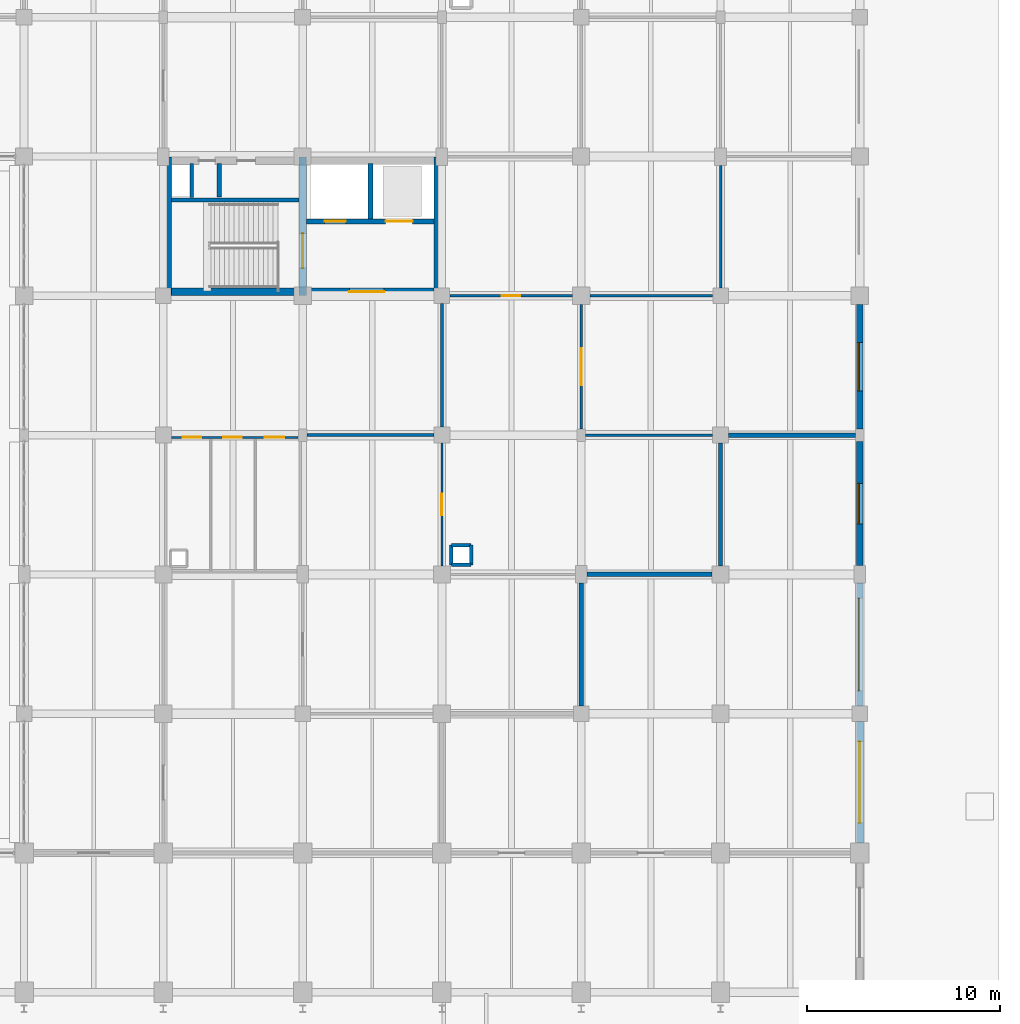
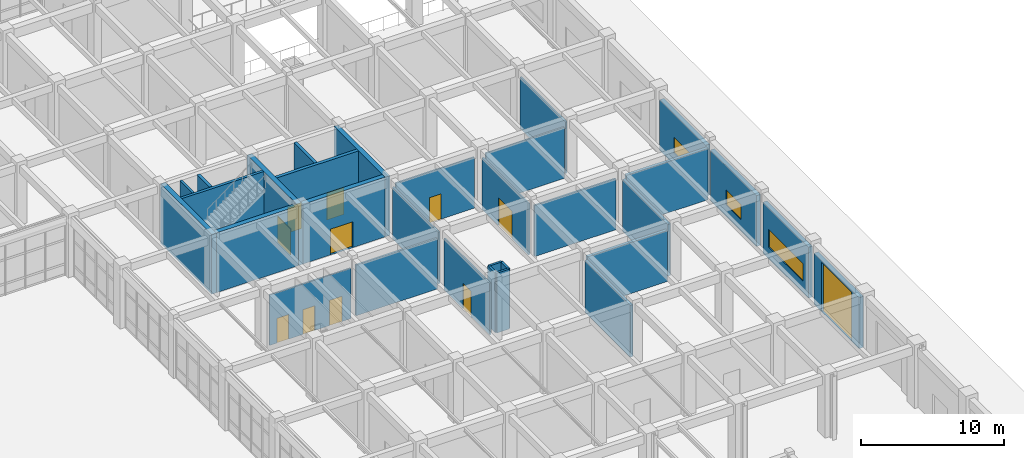
# One storey, part 147 of 160: 31 walls, 11 doors, 3 windows, 14 openings.
"""IFC4 building model written with IfcOpenShell, lengths in metres."""

from ifc_helpers import new_model, si_unit, direction, frame, frame_2d, origin, place, context, subcontext, project, spatial, rectangle, extrude, material, layer, layer_set, type_object, element, fill, save


model = new_model("IFC4")

# Units and contexts
model_context = context("Model", 3, precision=1e-05, world=origin(), true_north=direction((0.0, 1.0)))
body_context = subcontext(model_context, "Body", "Model", "MODEL_VIEW")
ifc_project = project(units=[si_unit("LENGTHUNIT", "METRE"), si_unit("AREAUNIT", "SQUARE_METRE"), si_unit("VOLUMEUNIT", "CUBIC_METRE"), si_unit("PLANEANGLEUNIT", "RADIAN"), si_unit("MASSUNIT", "GRAM", prefix="KILO")], contexts=[model_context])

# Site, building, storey
site_placement = place(None, origin())
site = spatial("IfcSite", under=ifc_project, at=site_placement, CompositionType="ELEMENT")
building_placement = place(site_placement, origin())
building = spatial("IfcBuilding", under=site, at=building_placement, Name="Thalmaran Polytechnic", CompositionType="ELEMENT")
storey_placement = place(building_placement, origin())
storey = spatial("IfcBuildingStorey", under=building, at=storey_placement, Name="L00", CompositionType="ELEMENT", Elevation=0.0)

# Wall, opening, door
ifc_material_1 = material(Name="Precast concrete C40/50", Category="concrete")
ifc_layer_1 = layer(ifc_material_1, 0.360107421875, Name="Precast concrete C40/50")
ifc_layer_set_1 = layer_set([ifc_layer_1], Name="Precast concrete C40/50")
wall_type_1 = type_object("IfcWallType", Name="WL-EW01", PredefinedType="STANDARD", material=ifc_layer_set_1)
wall_1_placement = place(storey_placement, frame((172.800048828125, 64.39990234375, 0.0), z_axis=(0.0, 0.0, 1.0), x_axis=(0.0, -1.0, 0.0)))
wall_1 = element("IfcWall", 1, at=wall_1_placement, inside=storey, type_object=wall_type_1, Name="Workshop Heavy Loading Dock Wall", PredefinedType="STANDARD", context=body_context, shape_type="SweptSolid", body=[
    extrude(rectangle(XDim=6.27490234375, YDim=0.360107421875, at=frame_2d((3.137451171875, 0.0))), origin(), (0.0, 0.0, 1.0), 4.3349609375),
])
opening_1_placement = place(wall_1_placement, frame((1.03759765625, 0.0, 0.0)))
opening_1 = element("IfcOpeningElement", 2, at=opening_1_placement, cuts=wall_1, Name="Opening VG-02", PredefinedType="OPENING", context=body_context, shape_type="SweptSolid", body=[
    extrude(rectangle(XDim=4.199951171875, YDim=4.199951171875, at=frame_2d((2.10009765625, 2.10009765625))), frame((0.0, 0.18994140625, 0.0), z_axis=(0.0, -1.0, 0.0), x_axis=(1.0, 0.0, 0.0)), (0.0, 0.0, 1.0), 0.380126953125),
])
ifc_material_2 = material(Name="Galvanised insulated steel roller shutter", Category="steel")
door_type_1 = type_object("IfcDoorType", Name="DR-VG02", OperationType="NOTDEFINED", PredefinedType="GATE", material=ifc_material_2)
door_1_placement = place(opening_1_placement, origin())
door_1 = element("IfcDoor", 3, at=door_1_placement, inside=storey, type_object=door_type_1, Name="Heavy Goods Loading Dock Roller Shutter VG-02", OperationType="ROLLINGUP", OverallHeight=4.199951171875, OverallWidth=4.199951171875, PredefinedType="GATE", context=body_context, shape_type="SweptSolid", body=[
    extrude(rectangle(XDim=4.199951171875, YDim=4.199951171875, at=frame_2d((2.10009765625, 2.10009765625))), frame((0.0, 0.02490234375, 0.0), z_axis=(0.0, -1.0, 0.0), x_axis=(1.0, 0.0, 0.0)), (0.0, 0.0, 1.0), 0.050048828125),
])
fill(opening_1, door_1)

# Wall, opening, window
ifc_layer_2 = layer(ifc_material_1, 0.330078125, Name="Precast concrete C40/50")
ifc_layer_set_2 = layer_set([ifc_layer_2], Name="Precast concrete C40/50")
wall_type_2 = type_object("IfcWallType", Name="WL-EW02", PredefinedType="STANDARD", material=ifc_layer_set_2)
wall_2_placement = place(storey_placement, frame((172.800048828125, 85.949951171875, 0.0), z_axis=(0.0, 0.0, 1.0), x_axis=(0.0, -1.0, 0.0)))
wall_2 = element("IfcWall", 4, at=wall_2_placement, inside=storey, type_object=wall_type_2, Name="Exterior Precast Facade Wall L00-057", PredefinedType="STANDARD", context=body_context, shape_type="SweptSolid", body=[
    extrude(rectangle(XDim=6.425048828125, YDim=0.330078125, at=frame_2d((3.21240234375, 0.0))), origin(), (0.0, 0.0, 1.0), 4.3349609375),
])
opening_2_placement = place(wall_2_placement, frame((1.96240234375, 0.0, 0.97998046875)))
opening_2 = element("IfcOpeningElement", 5, at=opening_2_placement, cuts=wall_2, Name="Opening VW19", PredefinedType="OPENING", context=body_context, shape_type="SweptSolid", body=[
    extrude(rectangle(XDim=2.5, YDim=1.35009765625, at=frame_2d((1.25, 0.675048828125))), frame((0.0, 0.175048828125, 0.0), z_axis=(0.0, -1.0, 0.0), x_axis=(1.0, 0.0, 0.0)), (0.0, 0.0, 1.0), 0.35009765625),
])
ifc_material_3 = material(Name="Thermally broken aluminium and double low-E glass", Category="aluminium")
window_type_1 = type_object("IfcWindowType", Name="WN-VZ19", PartitioningType="DOUBLE_PANEL_VERTICAL", PredefinedType="WINDOW", material=ifc_material_3)
window_1_placement = place(opening_2_placement, origin())
window_1 = element("IfcWindow", 6, at=window_1_placement, inside=storey, type_object=window_type_1, Name="Streamline Ribbon Window W-0029", OverallHeight=1.35009765625, OverallWidth=2.5, PartitioningType="SINGLE_PANEL", PredefinedType="WINDOW", context=body_context, shape_type="SweptSolid", body=[
    extrude(rectangle(XDim=2.5, YDim=1.35009765625, at=frame_2d((1.25, 0.675048828125))), frame((0.0, -0.030029296875, 0.0), z_axis=(0.0, -1.0, 0.0), x_axis=(1.0, 0.0, 0.0)), (0.0, 0.0, 1.0), 0.06005859375),
])
fill(opening_2, window_1)

wall_3_placement = place(storey_placement, frame((172.800048828125, 78.875, 0.0), z_axis=(0.0, 0.0, 1.0), x_axis=(0.0, -1.0, 0.0)))
wall_3 = element("IfcWall", 7, at=wall_3_placement, inside=storey, type_object=wall_type_2, Name="Exterior Precast Facade Wall L00-058", PredefinedType="STANDARD", context=body_context, shape_type="SweptSolid", body=[
    extrude(rectangle(XDim=6.425048828125, YDim=0.330078125, at=frame_2d((3.21240234375, 0.0))), origin(), (0.0, 0.0, 1.0), 4.3349609375),
])
opening_3_placement = place(wall_3_placement, frame((2.16259765625, 0.0, 0.97998046875)))
opening_3 = element("IfcOpeningElement", 8, at=opening_3_placement, cuts=wall_3, Name="Opening VW20", PredefinedType="OPENING", context=body_context, shape_type="SweptSolid", body=[
    extrude(rectangle(XDim=2.10009765625, YDim=1.300048828125, at=frame_2d((1.050048828125, 0.64990234375))), frame((0.0, 0.175048828125, 0.0), z_axis=(0.0, -1.0, 0.0), x_axis=(1.0, 0.0, 0.0)), (0.0, 0.0, 1.0), 0.35009765625),
])
window_type_2 = type_object("IfcWindowType", Name="WN-VZ20", PartitioningType="SINGLE_PANEL", PredefinedType="WINDOW", material=ifc_material_3)
window_2_placement = place(opening_3_placement, origin())
window_2 = element("IfcWindow", 9, at=window_2_placement, inside=storey, type_object=window_type_2, Name="Streamline Ribbon Window W-0030", OverallHeight=1.300048828125, OverallWidth=2.10009765625, PartitioningType="SINGLE_PANEL", PredefinedType="WINDOW", context=body_context, shape_type="SweptSolid", body=[
    extrude(rectangle(XDim=2.10009765625, YDim=1.300048828125, at=frame_2d((1.050048828125, 0.64990234375))), frame((0.0, -0.030029296875, 0.0), z_axis=(0.0, -1.0, 0.0), x_axis=(1.0, 0.0, 0.0)), (0.0, 0.0, 1.0), 0.06005859375),
])
fill(opening_3, window_2)

wall_4_placement = place(storey_placement, frame((172.800048828125, 71.550048828125, 0.0), z_axis=(0.0, 0.0, 1.0), x_axis=(0.0, -1.0, 0.0)))
wall_4 = element("IfcWall", 10, at=wall_4_placement, inside=storey, type_object=wall_type_2, Name="Exterior Precast Facade Wall L00-059", PredefinedType="STANDARD", context=body_context, shape_type="SweptSolid", body=[
    extrude(rectangle(XDim=6.35009765625, YDim=0.330078125, at=frame_2d((3.175048828125, 0.0))), origin(), (0.0, 0.0, 1.0), 4.3349609375),
])
opening_4_placement = place(wall_4_placement, frame((0.77490234375, 0.0, 0.97998046875)))
opening_4 = element("IfcOpeningElement", 11, at=opening_4_placement, cuts=wall_4, Name="Opening RW01", PredefinedType="OPENING", context=body_context, shape_type="SweptSolid", body=[
    extrude(rectangle(XDim=4.800048828125, YDim=1.5, at=frame_2d((2.39990234375, 0.75))), frame((0.0, 0.175048828125, 0.0), z_axis=(0.0, -1.0, 0.0), x_axis=(1.0, 0.0, 0.0)), (0.0, 0.0, 1.0), 0.35009765625),
])
window_type_3 = type_object("IfcWindowType", Name="WN-RW01", PartitioningType="TRIPLE_PANEL_HORIZONTAL", PredefinedType="WINDOW", material=ifc_material_3)
window_3_placement = place(opening_4_placement, origin())
window_3 = element("IfcWindow", 12, at=window_3_placement, inside=storey, type_object=window_type_3, Name="Streamline Ribbon Window W-0031", OverallHeight=1.5, OverallWidth=4.800048828125, PartitioningType="SINGLE_PANEL", PredefinedType="WINDOW", context=body_context, shape_type="SweptSolid", body=[
    extrude(rectangle(XDim=4.800048828125, YDim=1.5, at=frame_2d((2.39990234375, 0.75))), frame((0.0, -0.030029296875, 0.0), z_axis=(0.0, -1.0, 0.0), x_axis=(1.0, 0.0, 0.0)), (0.0, 0.0, 1.0), 0.06005859375),
])
fill(opening_4, window_3)

# Walls
ifc_material_4 = material(Name="Autoclaved aerated masonry", Category="masonry")
ifc_layer_3 = layer(ifc_material_4, 0.25, Name="Autoclaved aerated masonry")
ifc_layer_set_3 = layer_set([ifc_layer_3], Name="Autoclaved aerated masonry")
wall_type_3 = type_object("IfcWallType", Name="WL-IW01", PredefinedType="PARTITIONING", material=ifc_layer_set_3)
wall_5_placement = place(storey_placement, frame((147.5, 90.3798828125, 0.0), z_axis=(0.0, 0.0, 1.0), x_axis=(0.0, 1.0, 0.0)))
element("IfcWall", 13, at=wall_5_placement, inside=storey, type_object=wall_type_3, Name="Core C5 Shaft Dividing Wall L00", PredefinedType="PARTITIONING", context=body_context, shape_type="SweptSolid", body=[
    extrude(rectangle(XDim=2.8701171875, YDim=0.25, at=frame_2d((1.43505859375, 0.0))), origin(), (0.0, 0.0, 1.0), 5.090087890625),
])
ifc_layer_4 = layer(ifc_material_4, 0.22998046875, Name="Autoclaved aerated masonry")
ifc_layer_set_4 = layer_set([ifc_layer_4], Name="Autoclaved aerated masonry")
wall_type_4 = type_object("IfcWallType", Name="WL-IW02", PredefinedType="PARTITIONING", material=ifc_layer_set_4)
wall_6_placement = place(storey_placement, frame((139.699951171875, 91.5, 0.0), z_axis=(0.0, 0.0, 1.0), x_axis=(0.0, 1.0, 0.0)))
element("IfcWall", 14, at=wall_6_placement, inside=storey, type_object=wall_type_4, Name="Core C5 Riser Partition L00", PredefinedType="PARTITIONING", context=body_context, shape_type="SweptSolid", body=[
    extrude(rectangle(XDim=1.739990234375, YDim=0.22998046875, at=frame_2d((0.8701171875, 0.0))), origin(), (0.0, 0.0, 1.0), 5.090087890625),
])
wall_7_placement = place(storey_placement, frame((158.39990234375, 65.205078125, 0.0), z_axis=(0.0, 0.0, 1.0), x_axis=(0.0, 1.0, 0.0)))
element("IfcWall", 15, at=wall_7_placement, inside=storey, type_object=wall_type_4, Name="Interior Partition IW02 L00-154", PredefinedType="PARTITIONING", context=body_context, shape_type="SweptSolid", body=[
    extrude(rectangle(XDim=6.33984375, YDim=0.22998046875, at=frame_2d((3.169921875, 0.0))), origin(), (0.0, 0.0, 1.0), 4.405029296875),
])
wall_8_placement = place(storey_placement, frame((158.705078125, 72.0, 0.0), z_axis=(0.0, 0.0, 1.0), x_axis=(1.0, 0.0, 0.0)))
element("IfcWall", 16, at=wall_8_placement, inside=storey, type_object=wall_type_4, Name="Interior Partition IW02 L00-162", PredefinedType="PARTITIONING", context=body_context, shape_type="SweptSolid", body=[
    extrude(rectangle(XDim=6.449951171875, YDim=0.22998046875, at=frame_2d((3.22509765625, 0.0))), origin(), (0.0, 0.0, 1.0), 4.35009765625),
])
wall_9_placement = place(storey_placement, frame((165.60009765625, 72.445068359375, 0.0), z_axis=(0.0, 0.0, 1.0), x_axis=(0.0, 1.0, 0.0)))
element("IfcWall", 17, at=wall_9_placement, inside=storey, type_object=wall_type_4, Name="Interior Partition IW02 L00-163", PredefinedType="PARTITIONING", context=body_context, shape_type="SweptSolid", body=[
    extrude(rectangle(XDim=6.33984375, YDim=0.22998046875, at=frame_2d((3.169921875, 0.0))), origin(), (0.0, 0.0, 1.0), 4.39990234375),
])
wall_10_placement = place(storey_placement, frame((166.014892578125, 79.199951171875, 0.0), z_axis=(0.0, 0.0, 1.0), x_axis=(1.0, 0.0, 0.0)))
element("IfcWall", 18, at=wall_10_placement, inside=storey, type_object=wall_type_4, Name="Interior Partition IW02 L00-170", PredefinedType="PARTITIONING", context=body_context, shape_type="SweptSolid", body=[
    extrude(rectangle(XDim=6.55517578125, YDim=0.22998046875, at=frame_2d((3.277587890625, 0.0))), origin(), (0.0, 0.0, 1.0), 4.364990234375),
])
ifc_layer_5 = layer(ifc_material_4, 0.179931640625, Name="Autoclaved aerated masonry")
ifc_layer_set_5 = layer_set([ifc_layer_5], Name="Autoclaved aerated masonry")
wall_type_5 = type_object("IfcWallType", Name="WL-IW04", PredefinedType="PARTITIONING", material=ifc_layer_set_5)
wall_11_placement = place(storey_placement, frame((138.280029296875, 91.47998046875, 0.0), z_axis=(0.0, 0.0, 1.0), x_axis=(0.0, 1.0, 0.0)))
element("IfcWall", 19, at=wall_11_placement, inside=storey, type_object=wall_type_5, Name="Core C5 Riser Shaft Enclosure Wall L00", PredefinedType="PARTITIONING", context=body_context, shape_type="SweptSolid", body=[
    extrude(rectangle(XDim=1.760009765625, YDim=0.179931640625, at=frame_2d((0.8798828125, 0.0))), origin(), (0.0, 0.0, 1.0), 5.090087890625),
])
for number, where, z_axis, x_axis, name in (
    (20, (151.68994140625, 72.489990234375, 0.0), (0.0, 0.0, 1.0), (1.0, 0.0, 0.0), "Fume Exhaust Riser Shaft Wall L00 (21,10)-S"),
    (21, (152.7099609375, 72.489990234375, 0.0), (0.0, 0.0, 1.0), (0.0, 1.0, 0.0), "Fume Exhaust Riser Shaft Wall L00 (21,10)-E"),
    (22, (152.7099609375, 73.510009765625, 0.0), (0.0, 0.0, 1.0), (-1.0, 0.0, 0.0), "Fume Exhaust Riser Shaft Wall L00 (21,10)-N"),
    (23, (151.68994140625, 73.510009765625, 0.0), (0.0, 0.0, 1.0), (0.0, -1.0, 0.0), "Fume Exhaust Riser Shaft Wall L00 (21,10)-W"),
):
    element("IfcWall", number, at=place(storey_placement, frame(where, z_axis=z_axis, x_axis=x_axis)), inside=storey, type_object=wall_type_5, Name=name, PredefinedType="PARTITIONING", context=body_context, shape_type="SweptSolid", body=[
        extrude(rectangle(XDim=1.02001953125, YDim=0.179931640625, at=frame_2d((0.510009765625, 0.0))), origin(), (0.0, 0.0, 1.0), 5.090087890625),
    ])
ifc_material_5 = material(Name="Gypsum acoustic partition")
ifc_layer_6 = layer(ifc_material_5, 0.14501953125, Name="Gypsum acoustic partition")
ifc_layer_set_6 = layer_set([ifc_layer_6], Name="Gypsum acoustic partition")
wall_type_6 = type_object("IfcWallType", Name="WL-IW06", PredefinedType="PARTITIONING", material=ifc_layer_set_6)
wall_12_placement = place(storey_placement, frame((144.22998046875, 79.199951171875, 0.0), z_axis=(0.0, 0.0, 1.0), x_axis=(1.0, 0.0, 0.0)))
element("IfcWall", 24, at=wall_12_placement, inside=storey, type_object=wall_type_6, Name="Interior Partition IW06 L00-146", PredefinedType="PARTITIONING", context=body_context, shape_type="SweptSolid", body=[
    extrude(rectangle(XDim=6.554931640625, YDim=0.14501953125, at=frame_2d((3.27734375, 0.0))), origin(), (0.0, 0.0, 1.0), 4.31005859375),
])
wall_13_placement = place(storey_placement, frame((151.199951171875, 79.614990234375, 0.0), z_axis=(0.0, 0.0, 1.0), x_axis=(0.0, 1.0, 0.0)))
element("IfcWall", 25, at=wall_13_placement, inside=storey, type_object=wall_type_6, Name="Interior Partition IW06 L00-147", PredefinedType="PARTITIONING", context=body_context, shape_type="SweptSolid", body=[
    extrude(rectangle(XDim=6.380126953125, YDim=0.14501953125, at=frame_2d((3.18994140625, 0.0))), origin(), (0.0, 0.0, 1.0), 4.39501953125),
])

# Wall, opening, door
ifc_layer_7 = layer(ifc_material_5, 0.1298828125, Name="Gypsum acoustic partition")
ifc_layer_set_7 = layer_set([ifc_layer_7], Name="Gypsum acoustic partition")
wall_type_7 = type_object("IfcWallType", Name="WL-IW07", PredefinedType="PARTITIONING", material=ifc_layer_set_7)
wall_14_placement = place(storey_placement, frame((158.39990234375, 79.530029296875, 0.0), z_axis=(0.0, 0.0, 1.0), x_axis=(0.0, 1.0, 0.0)))
wall_14 = element("IfcWall", 26, at=wall_14_placement, inside=storey, type_object=wall_type_7, Name="Interior Partition IW07 L00-156", PredefinedType="PARTITIONING", context=body_context, shape_type="SweptSolid", body=[
    extrude(rectangle(XDim=6.4150390625, YDim=0.1298828125, at=frame_2d((3.20751953125, 0.0))), origin(), (0.0, 0.0, 1.0), 4.39501953125),
])
opening_5_placement = place(wall_14_placement, frame((2.24755859375, 0.0, 0.0)))
opening_5 = element("IfcOpeningElement", 27, at=opening_5_placement, cuts=wall_14, Name="Opening D-L00-046-5-09-1", PredefinedType="OPENING", context=body_context, shape_type="SweptSolid", body=[
    extrude(rectangle(XDim=1.919921875, YDim=2.35009765625, at=frame_2d((0.9599609375, 1.175048828125))), frame((0.0, 0.074951171875, 0.0), z_axis=(0.0, -1.0, 0.0), x_axis=(1.0, 0.0, 0.0)), (0.0, 0.0, 1.0), 0.14990234375),
])
ifc_material_6 = material(Name="Acoustic hardwood and vision glass", Category="wood")
door_type_2 = type_object("IfcDoorType", Name="DR-ZD01", OperationType="NOTDEFINED", PredefinedType="DOOR", material=ifc_material_6)
door_2_placement = place(opening_5_placement, origin())
door_2 = element("IfcDoor", 28, at=door_2_placement, inside=storey, type_object=door_type_2, Name="Product Design Studio L00-09 Door 1", OperationType="SINGLE_SWING_RIGHT", OverallHeight=2.35009765625, OverallWidth=1.919921875, PredefinedType="DOOR", context=body_context, shape_type="SweptSolid", body=[
    extrude(rectangle(XDim=1.919921875, YDim=2.35009765625, at=frame_2d((0.9599609375, 1.175048828125))), frame((0.0, 0.02490234375, 0.0), z_axis=(0.0, -1.0, 0.0), x_axis=(1.0, 0.0, 0.0)), (0.0, 0.0, 1.0), 0.050048828125),
])
fill(opening_5, door_2)

# Walls
wall_15_placement = place(storey_placement, frame((158.6298828125, 79.199951171875, 0.0), z_axis=(0.0, 0.0, 1.0), x_axis=(1.0, 0.0, 0.0)))
element("IfcWall", 29, at=wall_15_placement, inside=storey, type_object=wall_type_7, Name="Interior Partition IW07 L00-164", PredefinedType="PARTITIONING", context=body_context, shape_type="SweptSolid", body=[
    extrude(rectangle(XDim=6.55517578125, YDim=0.1298828125, at=frame_2d((3.277587890625, 0.0))), origin(), (0.0, 0.0, 1.0), 4.35009765625),
])
wall_16_placement = place(storey_placement, frame((165.60009765625, 86.804931640625, 0.0), z_axis=(0.0, 0.0, 1.0), x_axis=(0.0, 1.0, 0.0)))
element("IfcWall", 30, at=wall_16_placement, inside=storey, type_object=wall_type_7, Name="Interior Partition IW07 L00-166", PredefinedType="PARTITIONING", context=body_context, shape_type="SweptSolid", body=[
    extrude(rectangle(XDim=6.340087890625, YDim=0.1298828125, at=frame_2d((3.169921875, 0.0))), origin(), (0.0, 0.0, 1.0), 4.39501953125),
])

# Wall, openings, doors
ifc_layer_8 = layer(ifc_material_5, 0.114990234375, Name="Gypsum acoustic partition")
ifc_layer_set_8 = layer_set([ifc_layer_8], Name="Gypsum acoustic partition")
wall_type_8 = type_object("IfcWallType", Name="WL-IW08", PredefinedType="PARTITIONING", material=ifc_layer_set_8)
wall_17_placement = place(storey_placement, frame((137.215087890625, 79.080078125, 0.0), z_axis=(0.0, 0.0, 1.0), x_axis=(1.0, 0.0, 0.0)))
wall_17 = element("IfcWall", 31, at=wall_17_placement, inside=storey, type_object=wall_type_8, Name="Sanitary Core Wall L00-W3-N", PredefinedType="PARTITIONING", context=body_context, shape_type="SweptSolid", body=[
    extrude(rectangle(XDim=6.554931640625, YDim=0.114990234375, at=frame_2d((3.27734375, 0.0))), origin(), (0.0, 0.0, 1.0), 4.2900390625),
])
opening_6_placement = place(wall_17_placement, frame((0.5849609375, 0.0, 0.0)))
opening_6 = element("IfcOpeningElement", 32, at=opening_6_placement, cuts=wall_17, Name="Opening WD-L00-W3-1", PredefinedType="OPENING", context=body_context, shape_type="SweptSolid", body=[
    extrude(rectangle(XDim=0.949951171875, YDim=2.10009765625, at=frame_2d((0.47509765625, 1.050048828125))), frame((0.0, 0.0673828125, 0.0), z_axis=(0.0, -1.0, 0.0), x_axis=(1.0, 0.0, 0.0)), (0.0, 0.0, 1.0), 0.135009765625),
])
opening_7_placement = place(wall_17_placement, frame((2.68505859375, 0.0, 0.0)))
opening_7 = element("IfcOpeningElement", 33, at=opening_7_placement, cuts=wall_17, Name="Opening WD-L00-W3-2", PredefinedType="OPENING", context=body_context, shape_type="SweptSolid", body=[
    extrude(rectangle(XDim=0.949951171875, YDim=2.10009765625, at=frame_2d((0.47509765625, 1.050048828125))), frame((0.0, 0.0673828125, 0.0), z_axis=(0.0, -1.0, 0.0), x_axis=(1.0, 0.0, 0.0)), (0.0, 0.0, 1.0), 0.135009765625),
])
opening_8_placement = place(wall_17_placement, frame((4.8349609375, 0.0, 0.0)))
opening_8 = element("IfcOpeningElement", 34, at=opening_8_placement, cuts=wall_17, Name="Opening WD-L00-W3-3", PredefinedType="OPENING", context=body_context, shape_type="SweptSolid", body=[
    extrude(rectangle(XDim=1.0, YDim=2.14990234375, at=frame_2d((0.5, 1.074951171875))), frame((0.0, 0.0673828125, 0.0), z_axis=(0.0, -1.0, 0.0), x_axis=(1.0, 0.0, 0.0)), (0.0, 0.0, 1.0), 0.135009765625),
])
ifc_material_7 = material(Name="Acoustic hardwood", Category="wood")
door_type_3 = type_object("IfcDoorType", Name="DR-ID06", OperationType="NOTDEFINED", PredefinedType="DOOR", material=ifc_material_7)
door_3_placement = place(opening_8_placement, origin())
door_3 = element("IfcDoor", 35, at=door_3_placement, inside=storey, type_object=door_type_3, Name="Accessible WC Door L00-W3", OperationType="SINGLE_SWING_LEFT", OverallHeight=2.14990234375, OverallWidth=1.0, PredefinedType="DOOR", context=body_context, shape_type="SweptSolid", body=[
    extrude(rectangle(XDim=1.0, YDim=2.14990234375, at=frame_2d((0.5, 1.074951171875))), frame((0.0, 0.02490234375, 0.0), z_axis=(0.0, -1.0, 0.0), x_axis=(1.0, 0.0, 0.0)), (0.0, 0.0, 1.0), 0.050048828125),
])
fill(opening_8, door_3)
ifc_material_8 = material(Name="Moisture-resistant laminate timber", Category="wood")
door_type_4 = type_object("IfcDoorType", Name="DR-ID07", OperationType="NOTDEFINED", PredefinedType="DOOR", material=ifc_material_8)
door_4_placement = place(opening_6_placement, origin())
door_4 = element("IfcDoor", 36, at=door_4_placement, inside=storey, type_object=door_type_4, Name="Male WC Door L00-W3", OperationType="SINGLE_SWING_LEFT", OverallHeight=2.10009765625, OverallWidth=0.949951171875, PredefinedType="DOOR", context=body_context, shape_type="SweptSolid", body=[
    extrude(rectangle(XDim=0.949951171875, YDim=2.10009765625, at=frame_2d((0.47509765625, 1.050048828125))), frame((0.0, 0.02490234375, 0.0), z_axis=(0.0, -1.0, 0.0), x_axis=(1.0, 0.0, 0.0)), (0.0, 0.0, 1.0), 0.050048828125),
])
fill(opening_6, door_4)
door_5_placement = place(opening_7_placement, origin())
door_5 = element("IfcDoor", 37, at=door_5_placement, inside=storey, type_object=door_type_4, Name="Female WC Door L00-W3", OperationType="SINGLE_SWING_RIGHT", OverallHeight=2.10009765625, OverallWidth=0.949951171875, PredefinedType="DOOR", context=body_context, shape_type="SweptSolid", body=[
    extrude(rectangle(XDim=0.949951171875, YDim=2.10009765625, at=frame_2d((0.47509765625, 1.050048828125))), frame((0.0, 0.02490234375, 0.0), z_axis=(0.0, -1.0, 0.0), x_axis=(1.0, 0.0, 0.0)), (0.0, 0.0, 1.0), 0.050048828125),
])
fill(opening_7, door_5)

# Wall, opening, door
wall_18_placement = place(storey_placement, frame((151.199951171875, 72.445068359375, 0.0), z_axis=(0.0, 0.0, 1.0), x_axis=(0.0, 1.0, 0.0)))
wall_18 = element("IfcWall", 38, at=wall_18_placement, inside=storey, type_object=wall_type_8, Name="Interior Partition IW08 L00-145", PredefinedType="PARTITIONING", context=body_context, shape_type="SweptSolid", body=[
    extrude(rectangle(XDim=6.33984375, YDim=0.114990234375, at=frame_2d((3.169921875, 0.0))), origin(), (0.0, 0.0, 1.0), 4.39990234375),
])
opening_9_placement = place(wall_18_placement, frame((2.6201171875, 0.0, 0.0)))
opening_9 = element("IfcOpeningElement", 39, at=opening_9_placement, cuts=wall_18, Name="Opening D-L00-044-5-07-1", PredefinedType="OPENING", context=body_context, shape_type="SweptSolid", body=[
    extrude(rectangle(XDim=1.10009765625, YDim=2.14990234375, at=frame_2d((0.550048828125, 1.074951171875))), frame((0.0, 0.0673828125, 0.0), z_axis=(0.0, -1.0, 0.0), x_axis=(1.0, 0.0, 0.0)), (0.0, 0.0, 1.0), 0.135009765625),
])
ifc_material_9 = material(Name="Powder-coated fire-rated steel", Category="steel")
door_type_5 = type_object("IfcDoorType", Name="DR-FD07", OperationType="NOTDEFINED", PredefinedType="DOOR", material=ifc_material_9)
door_6_placement = place(opening_9_placement, origin())
door_6 = element("IfcDoor", 40, at=door_6_placement, inside=storey, type_object=door_type_5, Name="Marine Systems Laboratory L00-07 Door 1", OperationType="SINGLE_SWING_RIGHT", OverallHeight=2.14990234375, OverallWidth=1.10009765625, PredefinedType="DOOR", context=body_context, shape_type="SweptSolid", body=[
    extrude(rectangle(XDim=1.10009765625, YDim=2.14990234375, at=frame_2d((0.550048828125, 1.074951171875))), frame((0.0, 0.02490234375, 0.0), z_axis=(0.0, -1.0, 0.0), x_axis=(1.0, 0.0, 0.0)), (0.0, 0.0, 1.0), 0.050048828125),
])
fill(opening_9, door_6)

wall_19_placement = place(storey_placement, frame((151.60498046875, 86.39990234375, 0.0), z_axis=(0.0, 0.0, 1.0), x_axis=(1.0, 0.0, 0.0)))
wall_19 = element("IfcWall", 41, at=wall_19_placement, inside=storey, type_object=wall_type_8, Name="Interior Partition IW08 L00-157", PredefinedType="PARTITIONING", context=body_context, shape_type="SweptSolid", body=[
    extrude(rectangle(XDim=6.340087890625, YDim=0.114990234375, at=frame_2d((3.169921875, 0.0))), origin(), (0.0, 0.0, 1.0), 4.340087890625),
])
opening_10_placement = place(wall_19_placement, frame((2.695068359375, 0.0, 0.0)))
opening_10 = element("IfcOpeningElement", 42, at=opening_10_placement, cuts=wall_19, Name="Opening D-L00-045-5-08-1", PredefinedType="OPENING", context=body_context, shape_type="SweptSolid", body=[
    extrude(rectangle(XDim=0.949951171875, YDim=2.14990234375, at=frame_2d((0.47509765625, 1.074951171875))), frame((0.0, 0.0673828125, 0.0), z_axis=(0.0, -1.0, 0.0), x_axis=(1.0, 0.0, 0.0)), (0.0, 0.0, 1.0), 0.135009765625),
])
door_type_6 = type_object("IfcDoorType", Name="DR-FD08", OperationType="NOTDEFINED", PredefinedType="DOOR", material=ifc_material_9)
door_7_placement = place(opening_10_placement, origin())
door_7 = element("IfcDoor", 43, at=door_7_placement, inside=storey, type_object=door_type_6, Name="Photonics and Electronics Laboratory L00-08 Door 1", OperationType="SINGLE_SWING_LEFT", OverallHeight=2.14990234375, OverallWidth=0.949951171875, PredefinedType="DOOR", context=body_context, shape_type="SweptSolid", body=[
    extrude(rectangle(XDim=0.949951171875, YDim=2.14990234375, at=frame_2d((0.47509765625, 1.074951171875))), frame((0.0, 0.02490234375, 0.0), z_axis=(0.0, -1.0, 0.0), x_axis=(1.0, 0.0, 0.0)), (0.0, 0.0, 1.0), 0.050048828125),
])
fill(opening_10, door_7)

# Walls
wall_20_placement = place(storey_placement, frame((158.85498046875, 86.39990234375, 0.0), z_axis=(0.0, 0.0, 1.0), x_axis=(1.0, 0.0, 0.0)))
element("IfcWall", 44, at=wall_20_placement, inside=storey, type_object=wall_type_8, Name="Interior Partition IW08 L00-165", PredefinedType="PARTITIONING", context=body_context, shape_type="SweptSolid", body=[
    extrude(rectangle(XDim=6.340087890625, YDim=0.114990234375, at=frame_2d((3.169921875, 0.0))), origin(), (0.0, 0.0, 1.0), 4.35009765625),
])
ifc_material_10 = material(Name="Concrete C50/60", Category="concrete")
ifc_layer_9 = layer(ifc_material_10, 0.3798828125, Name="Concrete C50/60")
ifc_layer_set_9 = layer_set([ifc_layer_9], Name="Concrete C50/60")
wall_type_9 = type_object("IfcWallType", Name="WL-SW02", PredefinedType="SHEAR", material=ifc_layer_set_9)
wall_21_placement = place(storey_placement, frame((137.2099609375, 86.6201171875, 0.0), z_axis=(0.0, 0.0, 1.0), x_axis=(1.0, 0.0, 0.0)))
element("IfcWall", 45, at=wall_21_placement, inside=storey, type_object=wall_type_9, Name="Core C5 South Shear Wall L00", PredefinedType="SHEAR", context=body_context, shape_type="SweptSolid", body=[
    extrude(rectangle(XDim=6.60009765625, YDim=0.3798828125, at=frame_2d((3.300048828125, 0.0))), origin(), (0.0, 0.0, 1.0), 5.090087890625),
])
wall_22_placement = place(storey_placement, frame((137.02001953125, 93.570068359375, 0.0), z_axis=(0.0, 0.0, 1.0), x_axis=(0.0, -1.0, 0.0)))
element("IfcWall", 46, at=wall_22_placement, inside=storey, type_object=wall_type_9, Name="Core C5 West Shear Wall L00", PredefinedType="SHEAR", context=body_context, shape_type="SweptSolid", body=[
    extrude(rectangle(XDim=7.14013671875, YDim=0.3798828125, at=frame_2d((3.570068359375, 0.0))), origin(), (0.0, 0.0, 1.0), 5.090087890625),
])
wall_23_placement = place(storey_placement, frame((137.2099609375, 91.360107421875, 0.0), z_axis=(0.0, 0.0, 1.0), x_axis=(1.0, 0.0, 0.0)))
element("IfcWall", 47, at=wall_23_placement, inside=storey, type_object=wall_type_9, Name="Core C5 Stair Partition L00", PredefinedType="SHEAR", context=body_context, shape_type="SweptSolid", body=[
    extrude(rectangle(XDim=6.60009765625, YDim=0.219970703125, at=frame_2d((3.300048828125, 0.0))), origin(), (0.0, 0.0, 1.0), 5.090087890625),
])

# Wall, opening, door
wall_24_placement = place(storey_placement, frame((144.0, 86.429931640625, 0.0), z_axis=(0.0, 0.0, 1.0), x_axis=(0.0, 1.0, 0.0)))
wall_24 = element("IfcWall", 48, at=wall_24_placement, inside=storey, type_object=wall_type_9, Name="Core C5 Stair-Lobby Dividing Shear Wall L00", PredefinedType="SHEAR", context=body_context, shape_type="SweptSolid", body=[
    extrude(rectangle(XDim=7.14013671875, YDim=0.3798828125, at=frame_2d((3.570068359375, 0.0))), origin(), (0.0, 0.0, 1.0), 5.090087890625),
])
opening_11_placement = place(wall_24_placement, frame((1.39990234375, 0.0, 0.0)))
opening_11 = element("IfcOpeningElement", 49, at=opening_11_placement, cuts=wall_24, Name="Opening SD-ST5-L00", PredefinedType="OPENING", context=body_context, shape_type="SweptSolid", body=[
    extrude(rectangle(XDim=1.800048828125, YDim=2.199951171875, at=frame_2d((0.89990234375, 1.10009765625))), frame((0.0, 0.199951171875, 0.0), z_axis=(0.0, -1.0, 0.0), x_axis=(1.0, 0.0, 0.0)), (0.0, 0.0, 1.0), 0.39990234375),
])
door_type_7 = type_object("IfcDoorType", Name="DR-FD03", OperationType="NOTDEFINED", PredefinedType="DOOR", material=ifc_material_9)
door_8_placement = place(opening_11_placement, frame((1.800048828125, 0.0, 0.0), z_axis=(0.0, 0.0, 1.0), x_axis=(-1.0, 0.0, 0.0)))
door_8 = element("IfcDoor", 50, at=door_8_placement, inside=storey, type_object=door_type_7, Name="Firefighting Lobby to Exit Stair Door ST5 L00", OperationType="SINGLE_SWING_RIGHT", OverallHeight=2.199951171875, OverallWidth=1.800048828125, PredefinedType="DOOR", context=body_context, shape_type="SweptSolid", body=[
    extrude(rectangle(XDim=1.800048828125, YDim=2.199951171875, at=frame_2d((0.89990234375, 1.10009765625))), frame((0.0, 0.02490234375, 0.0), z_axis=(0.0, -1.0, 0.0), x_axis=(1.0, 0.0, 0.0)), (0.0, 0.0, 1.0), 0.050048828125),
])
fill(opening_11, door_8)

wall_25_placement = place(storey_placement, frame((144.18994140625, 86.6201171875, 0.0), z_axis=(0.0, 0.0, 1.0), x_axis=(1.0, 0.0, 0.0)))
wall_25 = element("IfcWall", 51, at=wall_25_placement, inside=storey, type_object=wall_type_9, Name="Core C5 Lobby South Wall L00", PredefinedType="SHEAR", context=body_context, shape_type="SweptSolid", body=[
    extrude(rectangle(XDim=6.60009765625, YDim=0.3798828125, at=frame_2d((3.300048828125, 0.0))), origin(), (0.0, 0.0, 1.0), 5.090087890625),
])
opening_12_placement = place(wall_25_placement, frame((2.219970703125, 0.0, 0.0)))
opening_12 = element("IfcOpeningElement", 52, at=opening_12_placement, cuts=wall_25, Name="Opening FD-C5-L00", PredefinedType="OPENING", context=body_context, shape_type="SweptSolid", body=[
    extrude(rectangle(XDim=1.800048828125, YDim=2.199951171875, at=frame_2d((0.89990234375, 1.10009765625))), frame((0.0, 0.199951171875, 0.0), z_axis=(0.0, -1.0, 0.0), x_axis=(1.0, 0.0, 0.0)), (0.0, 0.0, 1.0), 0.39990234375),
])
door_type_8 = type_object("IfcDoorType", Name="DR-FD01", OperationType="NOTDEFINED", PredefinedType="DOOR", material=ifc_material_9)
door_9_placement = place(opening_12_placement, frame((1.800048828125, 0.0, 0.0), z_axis=(0.0, 0.0, 1.0), x_axis=(-1.0, 0.0, 0.0)))
door_9 = element("IfcDoor", 53, at=door_9_placement, inside=storey, type_object=door_type_8, Name="Firefighting Lift Lobby Entrance Door C5 L00", OperationType="DOUBLE_DOOR_SINGLE_SWING", OverallHeight=2.199951171875, OverallWidth=1.800048828125, PredefinedType="DOOR", context=body_context, shape_type="SweptSolid", body=[
    extrude(rectangle(XDim=1.800048828125, YDim=2.199951171875, at=frame_2d((0.89990234375, 1.10009765625))), frame((0.0, 0.02490234375, 0.0), z_axis=(0.0, -1.0, 0.0), x_axis=(1.0, 0.0, 0.0)), (0.0, 0.0, 1.0), 0.050048828125),
])
fill(opening_12, door_9)

# Wall
wall_26_placement = place(storey_placement, frame((150.97998046875, 86.429931640625, 0.0), z_axis=(0.0, 0.0, 1.0), x_axis=(0.0, 1.0, 0.0)))
element("IfcWall", 54, at=wall_26_placement, inside=storey, type_object=wall_type_9, Name="Core C5 Lobby East Shear Wall L00", PredefinedType="SHEAR", context=body_context, shape_type="SweptSolid", body=[
    extrude(rectangle(XDim=7.14013671875, YDim=0.3798828125, at=frame_2d((3.570068359375, 0.0))), origin(), (0.0, 0.0, 1.0), 5.090087890625),
])

# Wall, openings, doors
wall_27_placement = place(storey_placement, frame((144.18994140625, 90.25, 0.0), z_axis=(0.0, 0.0, 1.0), x_axis=(1.0, 0.0, 0.0)))
wall_27 = element("IfcWall", 55, at=wall_27_placement, inside=storey, type_object=wall_type_9, Name="Core C5 Lift Landing Front Wall L00", PredefinedType="SHEAR", context=body_context, shape_type="SweptSolid", body=[
    extrude(rectangle(XDim=6.60009765625, YDim=0.260009765625, at=frame_2d((3.300048828125, 0.0))), origin(), (0.0, 0.0, 1.0), 5.090087890625),
])
opening_13_placement = place(wall_27_placement, frame((0.949951171875, 0.0, 0.0)))
opening_13 = element("IfcOpeningElement", 56, at=opening_13_placement, cuts=wall_27, Name="Opening LD-PL-04-L00", PredefinedType="OPENING", context=body_context, shape_type="SweptSolid", body=[
    extrude(rectangle(XDim=1.10009765625, YDim=2.199951171875, at=frame_2d((0.550048828125, 1.10009765625))), frame((0.0, 0.139892578125, 0.0), z_axis=(0.0, -1.0, 0.0), x_axis=(1.0, 0.0, 0.0)), (0.0, 0.0, 1.0), 0.280029296875),
])
opening_14_placement = place(wall_27_placement, frame((4.10009765625, 0.0, 0.0)))
opening_14 = element("IfcOpeningElement", 57, at=opening_14_placement, cuts=wall_27, Name="Opening LD-GL-01-L00", PredefinedType="OPENING", context=body_context, shape_type="SweptSolid", body=[
    extrude(rectangle(XDim=1.39990234375, YDim=2.300048828125, at=frame_2d((0.699951171875, 1.14990234375))), frame((0.0, 0.139892578125, 0.0), z_axis=(0.0, -1.0, 0.0), x_axis=(1.0, 0.0, 0.0)), (0.0, 0.0, 1.0), 0.280029296875),
])
ifc_material_11 = material(Name="Brushed stainless steel lift door", Category="steel")
door_type_9 = type_object("IfcDoorType", Name="DR-LD01", OperationType="NOTDEFINED", PredefinedType="DOOR", material=ifc_material_11)
door_10_placement = place(opening_13_placement, origin())
door_10 = element("IfcDoor", 58, at=door_10_placement, inside=storey, type_object=door_type_9, Name="Lift Landing Door PL-04 L00", OperationType="SLIDING_TO_LEFT", OverallHeight=2.199951171875, OverallWidth=1.10009765625, PredefinedType="DOOR", context=body_context, shape_type="SweptSolid", body=[
    extrude(rectangle(XDim=1.10009765625, YDim=2.199951171875, at=frame_2d((0.550048828125, 1.10009765625))), frame((0.0, 0.02490234375, 0.0), z_axis=(0.0, -1.0, 0.0), x_axis=(1.0, 0.0, 0.0)), (0.0, 0.0, 1.0), 0.050048828125),
])
fill(opening_13, door_10)
door_type_10 = type_object("IfcDoorType", Name="DR-LD03", OperationType="NOTDEFINED", PredefinedType="DOOR", material=ifc_material_11)
door_11_placement = place(opening_14_placement, origin())
door_11 = element("IfcDoor", 59, at=door_11_placement, inside=storey, type_object=door_type_10, Name="Lift Landing Door GL-01 L00", OperationType="SLIDING_TO_RIGHT", OverallHeight=2.300048828125, OverallWidth=1.39990234375, PredefinedType="DOOR", context=body_context, shape_type="SweptSolid", body=[
    extrude(rectangle(XDim=1.39990234375, YDim=2.300048828125, at=frame_2d((0.699951171875, 1.14990234375))), frame((0.0, 0.02490234375, 0.0), z_axis=(0.0, -1.0, 0.0), x_axis=(1.0, 0.0, 0.0)), (0.0, 0.0, 1.0), 0.050048828125),
])
fill(opening_14, door_11)

save(model, "model.ifc")
